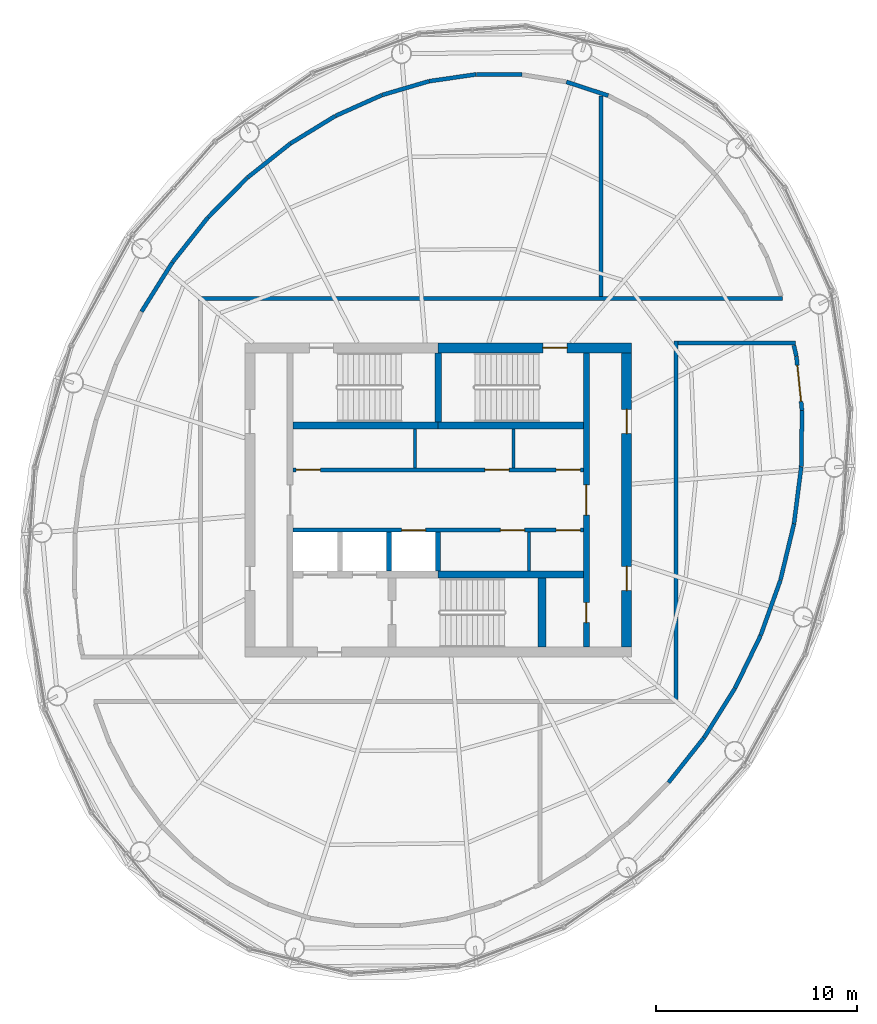
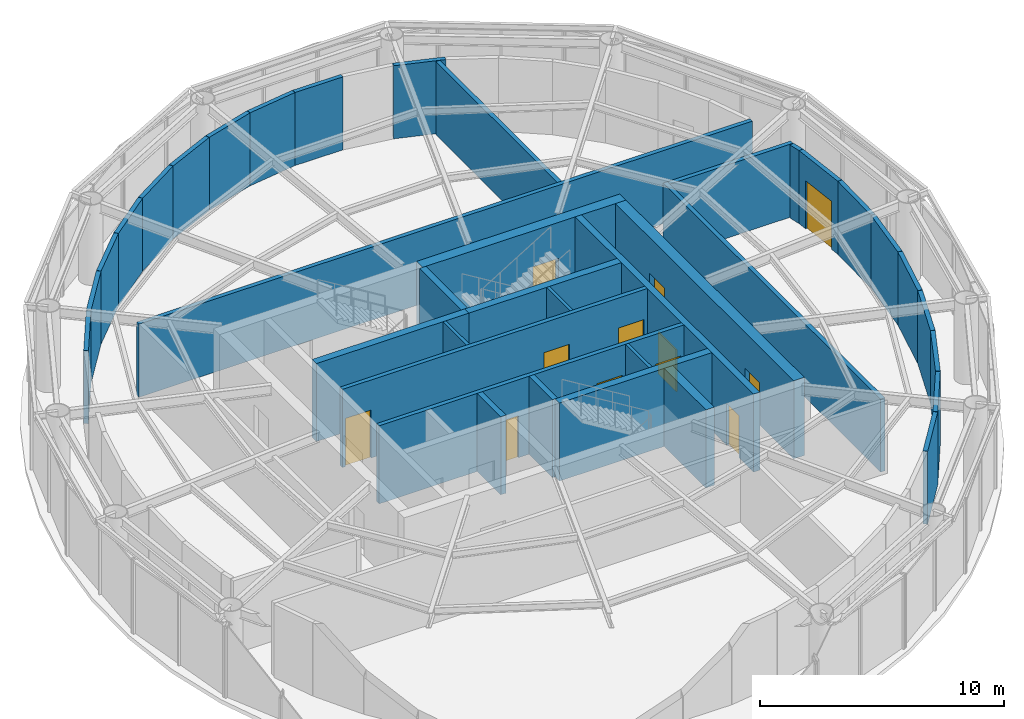
# One storey, part 9 of 11: 38 walls, 12 doors, 12 openings.
"""IFC4 building model written with IfcOpenShell, lengths in metres."""

from ifc_helpers import new_model, si_unit, direction, frame, frame_2d, origin, place, context, subcontext, project, spatial, rectangle, extrude, material, layer, layer_set, type_object, element, fill, save


model = new_model("IFC4")

# Units and contexts
model_context = context("Model", 3, precision=1e-05, world=origin(), true_north=direction((0.0, 1.0)))
body_context = subcontext(model_context, "Body", "Model", "MODEL_VIEW")
ifc_project = project(units=[si_unit("LENGTHUNIT", "METRE"), si_unit("AREAUNIT", "SQUARE_METRE"), si_unit("VOLUMEUNIT", "CUBIC_METRE"), si_unit("PLANEANGLEUNIT", "RADIAN"), si_unit("MASSUNIT", "GRAM", prefix="KILO")], contexts=[model_context])

# Site, building, storey
site_placement = place(None, origin())
site = spatial("IfcSite", under=ifc_project, at=site_placement, CompositionType="ELEMENT")
building_placement = place(site_placement, origin())
building = spatial("IfcBuilding", under=site, at=building_placement, Name="Vermilion Reach Broadcast Tower", CompositionType="ELEMENT")
storey_placement = place(building_placement, frame((0.0, 0.0, 317.10009765625)))
storey = spatial("IfcBuildingStorey", under=building, at=storey_placement, Name="L79 CROWN", CompositionType="ELEMENT", Elevation=317.10009765625)

# Wall, openings, doors
ifc_material_1 = material(Name="Concrete C50", Category="concrete")
ifc_layer_1 = layer(ifc_material_1, 0.300048828125)
ifc_layer_set_1 = layer_set([ifc_layer_1], Name="Core inner wall 300 mm Concrete C50")
wall_type_1 = type_object("IfcWallType", Name="Core inner wall 300 mm Concrete C50", PredefinedType="SHEAR", material=ifc_layer_set_1)
wall_1_placement = place(storey_placement, frame((1.35009765625, -7.300048828125, 0.0), z_axis=(0.0, 0.0, 1.0), x_axis=(0.0, 1.0, 0.0)))
wall_1 = element("IfcWall", 1, at=wall_1_placement, inside=storey, type_object=wall_type_1, Name="L79 CROWN core wall ewE", PredefinedType="SHEAR", context=body_context, shape_type="SweptSolid", body=[
    extrude(rectangle(XDim=14.60009765625, YDim=0.300048828125, at=frame_2d((7.300048828125, 0.0))), origin(), (0.0, 0.0, 1.0), 3.89990234375),
])
opening_1_placement = place(wall_1_placement, frame((1.2099609375, 0.0, 0.0)))
opening_1 = element("IfcOpeningElement", 2, at=opening_1_placement, cuts=wall_1, Name="Opening D05", PredefinedType="OPENING", context=body_context, shape_type="SweptSolid", body=[
    extrude(rectangle(XDim=1.0, YDim=2.10009765625, at=frame_2d((0.5, 1.050048828125))), frame((0.0, 0.159912109375, 0.0), z_axis=(0.0, -1.0, 0.0), x_axis=(1.0, 0.0, 0.0)), (0.0, 0.0, 1.0), 0.320068359375),
])
opening_2_placement = place(wall_1_placement, frame((6.550048828125, 0.0, 0.0)))
opening_2 = element("IfcOpeningElement", 3, at=opening_2_placement, cuts=wall_1, Name="Opening D04", PredefinedType="OPENING", context=body_context, shape_type="SweptSolid", body=[
    extrude(rectangle(XDim=1.5, YDim=2.10009765625, at=frame_2d((0.75, 1.050048828125))), frame((0.0, 0.159912109375, 0.0), z_axis=(0.0, -1.0, 0.0), x_axis=(1.0, 0.0, 0.0)), (0.0, 0.0, 1.0), 0.320068359375),
])
ifc_material_2 = material(Name="Painted steel fire door", Category="steel")
door_type_1 = type_object("IfcDoorType", Name="Lift lobby door 1500 x 2100", OperationType="DOUBLE_DOOR_SINGLE_SWING", PredefinedType="NOTDEFINED", material=ifc_material_2)
door_1_placement = place(opening_2_placement, origin())
door_1 = element("IfcDoor", 4, at=door_1_placement, inside=storey, type_object=door_type_1, Name="L79 CROWN band door BE", OperationType="DOUBLE_DOOR_SINGLE_SWING", OverallHeight=2.10009765625, OverallWidth=1.5, PredefinedType="NOTDEFINED", context=body_context, shape_type="SweptSolid", body=[
    extrude(rectangle(XDim=1.5, YDim=2.10009765625, at=frame_2d((0.75, 1.050048828125))), frame((0.0, 0.02490234375, 0.0), z_axis=(0.0, -1.0, 0.0), x_axis=(1.0, 0.0, 0.0)), (0.0, 0.0, 1.0), 0.050048828125),
])
fill(opening_2, door_1)
ifc_material_3 = material(Name="Timber door", Category="wood")
door_type_2 = type_object("IfcDoorType", Name="Room door 1000 x 2100", OperationType="NOTDEFINED", PredefinedType="NOTDEFINED", material=ifc_material_3)
door_2_placement = place(opening_1_placement, origin())
door_2 = element("IfcDoor", 5, at=door_2_placement, inside=storey, type_object=door_type_2, Name="L79 CROWN door SER", OperationType="SINGLE_SWING_LEFT", OverallHeight=2.10009765625, OverallWidth=1.0, PredefinedType="NOTDEFINED", context=body_context, shape_type="SweptSolid", body=[
    extrude(rectangle(XDim=1.0, YDim=2.10009765625, at=frame_2d((0.5, 1.050048828125))), frame((0.0, 0.02490234375, 0.0), z_axis=(0.0, -1.0, 0.0), x_axis=(1.0, 0.0, 0.0)), (0.0, 0.0, 1.0), 0.050048828125),
])
fill(opening_1, door_2)

# Walls
wall_2_placement = place(storey_placement, frame((-6.0, 3.8798828125, 0.0), z_axis=(0.0, 0.0, 1.0), x_axis=(0.0, 1.0, 0.0)))
element("IfcWall", 6, at=wall_2_placement, inside=storey, type_object=wall_type_1, Name="L79 CROWN core wall wc", PredefinedType="SHEAR", context=body_context, shape_type="SweptSolid", body=[
    extrude(rectangle(XDim=3.420166015625, YDim=0.300048828125, at=frame_2d((1.7099609375, 0.0))), origin(), (0.0, 0.0, 1.0), 3.89990234375),
])
ifc_material_4 = material(Name="Concrete C50", Category="concrete")
ifc_layer_2 = layer(ifc_material_4, 0.35009765625)
ifc_layer_set_2 = layer_set([ifc_layer_2], Name="Core inner wall 350 mm Concrete C50")
wall_type_2 = type_object("IfcWallType", Name="Core inner wall 350 mm Concrete C50", PredefinedType="SHEAR", material=ifc_layer_set_2)
for number, where, z_axis, x_axis, name in (
    (7, (-13.199951171875, 3.705078125, 0.0), (0.0, 0.0, 1.0), (1.0, 0.0, 0.0), "L79 CROWN core wall winW"),
    (8, (-6.0, 3.705078125, 0.0), (0.0, 0.0, 1.0), (1.0, 0.0, 0.0), "L79 CROWN core wall winE"),
    (9, (-6.0, -3.705078125, 0.0), (0.0, 0.0, 1.0), (1.0, 0.0, 0.0), "L79 CROWN core wall wisE"),
):
    element("IfcWall", number, at=place(storey_placement, frame(where, z_axis=z_axis, x_axis=x_axis)), inside=storey, type_object=wall_type_2, Name=name, PredefinedType="SHEAR", context=body_context, shape_type="SweptSolid", body=[
        extrude(rectangle(XDim=7.199951171875, YDim=0.35009765625, at=frame_2d((3.60009765625, 0.0))), origin(), (0.0, 0.0, 1.0), 3.89990234375),
    ])
ifc_material_5 = material(Name="Concrete C50", Category="concrete")
ifc_layer_3 = layer(ifc_material_5, 0.39990234375)
ifc_layer_set_3 = layer_set([ifc_layer_3], Name="Core inner wall 400 mm Concrete C50")
wall_type_3 = type_object("IfcWallType", Name="Core inner wall 400 mm Concrete C50", PredefinedType="SHEAR", material=ifc_layer_set_3)
wall_3_placement = place(storey_placement, frame((-0.85009765625, -3.8798828125, 0.0), z_axis=(0.0, 0.0, 1.0), x_axis=(0.0, -1.0, 0.0)))
element("IfcWall", 10, at=wall_3_placement, inside=storey, type_object=wall_type_3, Name="L79 CROWN core wall wb", PredefinedType="SHEAR", context=body_context, shape_type="SweptSolid", body=[
    extrude(rectangle(XDim=3.420166015625, YDim=0.39990234375, at=frame_2d((1.7099609375, 0.0))), origin(), (0.0, 0.0, 1.0), 3.89990234375),
])

# Wall, opening, door
ifc_material_6 = material(Name="Concrete C50", Category="concrete")
ifc_layer_4 = layer(ifc_material_6, 0.5)
ifc_layer_set_4 = layer_set([ifc_layer_4], Name="Core outer wall 500 mm Concrete C50")
wall_type_4 = type_object("IfcWallType", Name="Core outer wall 500 mm Concrete C50", PredefinedType="SHEAR", material=ifc_layer_set_4)
wall_4_placement = place(storey_placement, frame((3.60009765625, 7.550048828125, 0.0), z_axis=(0.0, 0.0, 1.0), x_axis=(-1.0, 0.0, 0.0)))
wall_4 = element("IfcWall", 11, at=wall_4_placement, inside=storey, type_object=wall_type_4, Name="L79 CROWN core wall onE", PredefinedType="SHEAR", context=body_context, shape_type="SweptSolid", body=[
    extrude(rectangle(XDim=9.60009765625, YDim=0.5, at=frame_2d((4.800048828125, 0.0))), origin(), (0.0, 0.0, 1.0), 3.89990234375),
])
opening_3_placement = place(wall_4_placement, frame((3.199951171875, 0.0, 0.0)))
opening_3 = element("IfcOpeningElement", 12, at=opening_3_placement, cuts=wall_4, Name="Opening D01", PredefinedType="OPENING", context=body_context, shape_type="SweptSolid", body=[
    extrude(rectangle(XDim=1.199951171875, YDim=2.10009765625, at=frame_2d((0.60009765625, 1.050048828125))), frame((0.0, 0.260009765625, 0.0), z_axis=(0.0, -1.0, 0.0), x_axis=(1.0, 0.0, 0.0)), (0.0, 0.0, 1.0), 0.52001953125),
])
ifc_material_7 = material(Name="Painted steel fire door", Category="steel")
door_type_3 = type_object("IfcDoorType", Name="Stair door 1200 x 2100", OperationType="DOUBLE_DOOR_SINGLE_SWING", PredefinedType="NOTDEFINED", material=ifc_material_7)
door_3_placement = place(opening_3_placement, origin())
door_3 = element("IfcDoor", 13, at=door_3_placement, inside=storey, type_object=door_type_3, Name="L79 CROWN stair door ST2", OperationType="DOUBLE_DOOR_SINGLE_SWING", OverallHeight=2.10009765625, OverallWidth=1.199951171875, PredefinedType="NOTDEFINED", context=body_context, shape_type="SweptSolid", body=[
    extrude(rectangle(XDim=1.199951171875, YDim=2.10009765625, at=frame_2d((0.60009765625, 1.050048828125))), frame((0.0, 0.02490234375, 0.0), z_axis=(0.0, -1.0, 0.0), x_axis=(1.0, 0.0, 0.0)), (0.0, 0.0, 1.0), 0.050048828125),
])
fill(opening_3, door_3)

# Wall, openings, doors
wall_5_placement = place(storey_placement, frame((3.35009765625, -7.300048828125, 0.0), z_axis=(0.0, 0.0, 1.0), x_axis=(0.0, 1.0, 0.0)))
wall_5 = element("IfcWall", 14, at=wall_5_placement, inside=storey, type_object=wall_type_4, Name="L79 CROWN core wall oe", PredefinedType="SHEAR", context=body_context, shape_type="SweptSolid", body=[
    extrude(rectangle(XDim=14.60009765625, YDim=0.5, at=frame_2d((7.300048828125, 0.0))), origin(), (0.0, 0.0, 1.0), 3.89990234375),
])
opening_4_placement = place(wall_5_placement, frame((2.800048828125, 0.0, 0.0)))
opening_4 = element("IfcOpeningElement", 15, at=opening_4_placement, cuts=wall_5, Name="Opening D03", PredefinedType="OPENING", context=body_context, shape_type="SweptSolid", body=[
    extrude(rectangle(XDim=1.199951171875, YDim=2.10009765625, at=frame_2d((0.60009765625, 1.050048828125))), frame((0.0, 0.260009765625, 0.0), z_axis=(0.0, -1.0, 0.0), x_axis=(1.0, 0.0, 0.0)), (0.0, 0.0, 1.0), 0.52001953125),
])
opening_5_placement = place(wall_5_placement, frame((10.60009765625, 0.0, 0.0)))
opening_5 = element("IfcOpeningElement", 16, at=opening_5_placement, cuts=wall_5, Name="Opening D03", PredefinedType="OPENING", context=body_context, shape_type="SweptSolid", body=[
    extrude(rectangle(XDim=1.199951171875, YDim=2.10009765625, at=frame_2d((0.60009765625, 1.050048828125))), frame((0.0, 0.260009765625, 0.0), z_axis=(0.0, -1.0, 0.0), x_axis=(1.0, 0.0, 0.0)), (0.0, 0.0, 1.0), 0.52001953125),
])
ifc_material_8 = material(Name="Painted steel fire door", Category="steel")
door_type_4 = type_object("IfcDoorType", Name="Core lobby door 1200 x 2100", OperationType="DOUBLE_DOOR_SINGLE_SWING", PredefinedType="NOTDEFINED", material=ifc_material_8)
door_4_placement = place(opening_4_placement, origin())
door_4 = element("IfcDoor", 17, at=door_4_placement, inside=storey, type_object=door_type_4, Name="L79 CROWN slot door E0", OperationType="DOUBLE_DOOR_SINGLE_SWING", OverallHeight=2.10009765625, OverallWidth=1.199951171875, PredefinedType="NOTDEFINED", context=body_context, shape_type="SweptSolid", body=[
    extrude(rectangle(XDim=1.199951171875, YDim=2.10009765625, at=frame_2d((0.60009765625, 1.050048828125))), frame((0.0, 0.02490234375, 0.0), z_axis=(0.0, -1.0, 0.0), x_axis=(1.0, 0.0, 0.0)), (0.0, 0.0, 1.0), 0.050048828125),
])
fill(opening_4, door_4)
door_5_placement = place(opening_5_placement, origin())
door_5 = element("IfcDoor", 18, at=door_5_placement, inside=storey, type_object=door_type_4, Name="L79 CROWN slot door E1", OperationType="DOUBLE_DOOR_SINGLE_SWING", OverallHeight=2.10009765625, OverallWidth=1.199951171875, PredefinedType="NOTDEFINED", context=body_context, shape_type="SweptSolid", body=[
    extrude(rectangle(XDim=1.199951171875, YDim=2.10009765625, at=frame_2d((0.60009765625, 1.050048828125))), frame((0.0, 0.02490234375, 0.0), z_axis=(0.0, -1.0, 0.0), x_axis=(1.0, 0.0, 0.0)), (0.0, 0.0, 1.0), 0.050048828125),
])
fill(opening_5, door_5)

# Walls
ifc_material_9 = material(Name="Masonry block", Category="masonry")
ifc_layer_5 = layer(ifc_material_9, 0.14990234375)
ifc_layer_set_5 = layer_set([ifc_layer_5], Name="Core partition wall 150 mm Masonry block")
wall_type_5 = type_object("IfcWallType", Name="Core partition wall 150 mm Masonry block", PredefinedType="PARTITIONING", material=ifc_layer_set_5)
for number, where, z_axis, x_axis, name in (
    (19, (-7.152099609375, 1.60009765625, 0.0), (0.0, 0.0, 1.0), (0.0, 1.0, 0.0), "L79 CROWN core wall prN-1152"),
    (20, (-2.256103515625, 1.60009765625, 0.0), (0.0, 0.0, 1.0), (0.0, 1.0, 0.0), "L79 CROWN core wall prN3744"),
    (21, (-1.488525390625, -1.60009765625, 0.0), (0.0, 0.0, 1.0), (0.0, -1.0, 0.0), "L79 CROWN core wall prS4512"),
):
    element("IfcWall", number, at=place(storey_placement, frame(where, z_axis=z_axis, x_axis=x_axis)), inside=storey, type_object=wall_type_5, Name=name, PredefinedType="PARTITIONING", context=body_context, shape_type="SweptSolid", body=[
        extrude(rectangle(XDim=1.929931640625, YDim=0.14990234375, at=frame_2d((0.96484375, 0.0))), origin(), (0.0, 0.0, 1.0), 3.89990234375),
    ])

# Wall, openings, doors
ifc_material_10 = material(Name="Concrete C50", Category="concrete")
ifc_layer_6 = layer(ifc_material_10, 0.199951171875)
ifc_layer_set_6 = layer_set([ifc_layer_6], Name="Core shaft wall 200 mm Concrete C50")
wall_type_6 = type_object("IfcWallType", Name="Core shaft wall 200 mm Concrete C50", PredefinedType="SHEAR", material=ifc_layer_set_6)
wall_6_placement = place(storey_placement, frame((-13.199951171875, 1.5, 0.0), z_axis=(0.0, 0.0, 1.0), x_axis=(1.0, 0.0, 0.0)))
wall_6 = element("IfcWall", 22, at=wall_6_placement, inside=storey, type_object=wall_type_6, Name="L79 CROWN core wall fn", PredefinedType="SHEAR", context=body_context, shape_type="SweptSolid", body=[
    extrude(rectangle(XDim=14.39990234375, YDim=0.199951171875, at=frame_2d((7.199951171875, 0.0))), origin(), (0.0, 0.0, 1.0), 3.89990234375),
])
opening_6_placement = place(wall_6_placement, frame((0.14990234375, 0.0, 0.0)))
opening_6 = element("IfcOpeningElement", 23, at=opening_6_placement, cuts=wall_6, Name="Opening D09", PredefinedType="OPENING", context=body_context, shape_type="SweptSolid", body=[
    extrude(rectangle(XDim=1.199951171875, YDim=2.39990234375, at=frame_2d((0.60009765625, 1.199951171875))), frame((0.0, 0.10986328125, 0.0), z_axis=(0.0, -1.0, 0.0), x_axis=(1.0, 0.0, 0.0)), (0.0, 0.0, 1.0), 0.219970703125),
])
opening_7_placement = place(wall_6_placement, frame((9.51904296875, 0.0, 0.0)))
opening_7 = element("IfcOpeningElement", 24, at=opening_7_placement, cuts=wall_6, Name="Opening D09", PredefinedType="OPENING", context=body_context, shape_type="SweptSolid", body=[
    extrude(rectangle(XDim=1.199951171875, YDim=2.39990234375, at=frame_2d((0.60009765625, 1.199951171875))), frame((0.0, 0.10986328125, 0.0), z_axis=(0.0, -1.0, 0.0), x_axis=(1.0, 0.0, 0.0)), (0.0, 0.0, 1.0), 0.219970703125),
])
opening_8_placement = place(wall_6_placement, frame((13.050048828125, 0.0, 0.0)))
opening_8 = element("IfcOpeningElement", 25, at=opening_8_placement, cuts=wall_6, Name="Opening D09", PredefinedType="OPENING", context=body_context, shape_type="SweptSolid", body=[
    extrude(rectangle(XDim=1.199951171875, YDim=2.39990234375, at=frame_2d((0.60009765625, 1.199951171875))), frame((0.0, 0.10986328125, 0.0), z_axis=(0.0, -1.0, 0.0), x_axis=(1.0, 0.0, 0.0)), (0.0, 0.0, 1.0), 0.219970703125),
])
ifc_material_11 = material(Name="Painted steel fire door", Category="steel")
door_type_5 = type_object("IfcDoorType", Name="Plant room door 1200 x 2400", OperationType="DOUBLE_DOOR_SINGLE_SWING", PredefinedType="NOTDEFINED", material=ifc_material_11)
door_6_placement = place(opening_6_placement, origin())
door_6 = element("IfcDoor", 26, at=door_6_placement, inside=storey, type_object=door_type_5, Name="L79 CROWN door Plant room", OperationType="DOUBLE_DOOR_SINGLE_SWING", OverallHeight=2.39990234375, OverallWidth=1.199951171875, PredefinedType="NOTDEFINED", context=body_context, shape_type="SweptSolid", body=[
    extrude(rectangle(XDim=1.199951171875, YDim=2.39990234375, at=frame_2d((0.60009765625, 1.199951171875))), frame((0.0, 0.02490234375, 0.0), z_axis=(0.0, -1.0, 0.0), x_axis=(1.0, 0.0, 0.0)), (0.0, 0.0, 1.0), 0.050048828125),
])
fill(opening_6, door_6)
door_7_placement = place(opening_7_placement, origin())
door_7 = element("IfcDoor", 27, at=door_7_placement, inside=storey, type_object=door_type_5, Name="L79 CROWN door Plant room", OperationType="DOUBLE_DOOR_SINGLE_SWING", OverallHeight=2.39990234375, OverallWidth=1.199951171875, PredefinedType="NOTDEFINED", context=body_context, shape_type="SweptSolid", body=[
    extrude(rectangle(XDim=1.199951171875, YDim=2.39990234375, at=frame_2d((0.60009765625, 1.199951171875))), frame((0.0, 0.02490234375, 0.0), z_axis=(0.0, -1.0, 0.0), x_axis=(1.0, 0.0, 0.0)), (0.0, 0.0, 1.0), 0.050048828125),
])
fill(opening_7, door_7)
door_8_placement = place(opening_8_placement, origin())
door_8 = element("IfcDoor", 28, at=door_8_placement, inside=storey, type_object=door_type_5, Name="L79 CROWN door Plant room", OperationType="DOUBLE_DOOR_SINGLE_SWING", OverallHeight=2.39990234375, OverallWidth=1.199951171875, PredefinedType="NOTDEFINED", context=body_context, shape_type="SweptSolid", body=[
    extrude(rectangle(XDim=1.199951171875, YDim=2.39990234375, at=frame_2d((0.60009765625, 1.199951171875))), frame((0.0, 0.02490234375, 0.0), z_axis=(0.0, -1.0, 0.0), x_axis=(1.0, 0.0, 0.0)), (0.0, 0.0, 1.0), 0.050048828125),
])
fill(opening_8, door_8)

wall_7_placement = place(storey_placement, frame((1.199951171875, -1.5, 0.0), z_axis=(0.0, 0.0, 1.0), x_axis=(-1.0, 0.0, 0.0)))
wall_7 = element("IfcWall", 29, at=wall_7_placement, inside=storey, type_object=wall_type_6, Name="L79 CROWN core wall fs", PredefinedType="SHEAR", context=body_context, shape_type="SweptSolid", body=[
    extrude(rectangle(XDim=14.39990234375, YDim=0.199951171875, at=frame_2d((7.199951171875, 0.0))), origin(), (0.0, 0.0, 1.0), 3.89990234375),
])
opening_9_placement = place(wall_7_placement, frame((7.82080078125, 0.0, 0.0)))
opening_9 = element("IfcOpeningElement", 30, at=opening_9_placement, cuts=wall_7, Name="Opening LD1", PredefinedType="OPENING", context=body_context, shape_type="SweptSolid", body=[
    extrude(rectangle(XDim=1.199951171875, YDim=2.10009765625, at=frame_2d((0.60009765625, 1.050048828125))), frame((0.0, 0.10986328125, 0.0), z_axis=(0.0, -1.0, 0.0), x_axis=(1.0, 0.0, 0.0)), (0.0, 0.0, 1.0), 0.219970703125),
])
opening_10_placement = place(wall_7_placement, frame((2.91357421875, 0.0, 0.0)))
opening_10 = element("IfcOpeningElement", 31, at=opening_10_placement, cuts=wall_7, Name="Opening D09", PredefinedType="OPENING", context=body_context, shape_type="SweptSolid", body=[
    extrude(rectangle(XDim=1.199951171875, YDim=2.39990234375, at=frame_2d((0.60009765625, 1.199951171875))), frame((0.0, 0.10986328125, 0.0), z_axis=(0.0, -1.0, 0.0), x_axis=(1.0, 0.0, 0.0)), (0.0, 0.0, 1.0), 0.219970703125),
])
opening_11_placement = place(wall_7_placement, frame((0.14990234375, 0.0, 0.0)))
opening_11 = element("IfcOpeningElement", 32, at=opening_11_placement, cuts=wall_7, Name="Opening D09", PredefinedType="OPENING", context=body_context, shape_type="SweptSolid", body=[
    extrude(rectangle(XDim=1.199951171875, YDim=2.39990234375, at=frame_2d((0.60009765625, 1.199951171875))), frame((0.0, 0.10986328125, 0.0), z_axis=(0.0, -1.0, 0.0), x_axis=(1.0, 0.0, 0.0)), (0.0, 0.0, 1.0), 0.219970703125),
])
ifc_material_12 = material(Name="Stainless steel", Category="steel")
door_type_6 = type_object("IfcDoorType", Name="Landing door 1200 x 2100", OperationType="DOUBLE_DOOR_SLIDING", PredefinedType="NOTDEFINED", material=ifc_material_12)
door_9_placement = place(opening_9_placement, origin())
door_9 = element("IfcDoor", 33, at=door_9_placement, inside=storey, type_object=door_type_6, Name="L79 CROWN landing door SV1", OperationType="DOUBLE_DOOR_SLIDING", OverallHeight=2.10009765625, OverallWidth=1.199951171875, PredefinedType="NOTDEFINED", context=body_context, shape_type="SweptSolid", body=[
    extrude(rectangle(XDim=1.199951171875, YDim=2.10009765625, at=frame_2d((0.60009765625, 1.050048828125))), frame((0.0, 0.02490234375, 0.0), z_axis=(0.0, -1.0, 0.0), x_axis=(1.0, 0.0, 0.0)), (0.0, 0.0, 1.0), 0.050048828125),
])
fill(opening_9, door_9)
door_10_placement = place(opening_10_placement, origin())
door_10 = element("IfcDoor", 34, at=door_10_placement, inside=storey, type_object=door_type_5, Name="L79 CROWN door Plant room", OperationType="DOUBLE_DOOR_SINGLE_SWING", OverallHeight=2.39990234375, OverallWidth=1.199951171875, PredefinedType="NOTDEFINED", context=body_context, shape_type="SweptSolid", body=[
    extrude(rectangle(XDim=1.199951171875, YDim=2.39990234375, at=frame_2d((0.60009765625, 1.199951171875))), frame((0.0, 0.02490234375, 0.0), z_axis=(0.0, -1.0, 0.0), x_axis=(1.0, 0.0, 0.0)), (0.0, 0.0, 1.0), 0.050048828125),
])
fill(opening_10, door_10)
door_11_placement = place(opening_11_placement, origin())
door_11 = element("IfcDoor", 35, at=door_11_placement, inside=storey, type_object=door_type_5, Name="L79 CROWN door Plant room", OperationType="DOUBLE_DOOR_SINGLE_SWING", OverallHeight=2.39990234375, OverallWidth=1.199951171875, PredefinedType="NOTDEFINED", context=body_context, shape_type="SweptSolid", body=[
    extrude(rectangle(XDim=1.199951171875, YDim=2.39990234375, at=frame_2d((0.60009765625, 1.199951171875))), frame((0.0, 0.02490234375, 0.0), z_axis=(0.0, -1.0, 0.0), x_axis=(1.0, 0.0, 0.0)), (0.0, 0.0, 1.0), 0.050048828125),
])
fill(opening_11, door_11)

# Walls
ifc_material_13 = material(Name="Concrete C50", Category="concrete")
ifc_layer_7 = layer(ifc_material_13, 0.25)
ifc_layer_set_7 = layer_set([ifc_layer_7], Name="Core shaft wall 250 mm Concrete C50")
wall_type_7 = type_object("IfcWallType", Name="Core shaft wall 250 mm Concrete C50", PredefinedType="SHEAR", material=ifc_layer_set_7)
for number, where, z_axis, x_axis, name in (
    (36, (-8.441650390625, -1.60009765625, 0.0), (0.0, 0.0, 1.0), (0.0, -1.0, 0.0), "L79 CROWN core wall psS1"),
    (37, (-6.0, -1.60009765625, 0.0), (0.0, 0.0, 1.0), (0.0, -1.0, 0.0), "L79 CROWN core wall psS2"),
):
    element("IfcWall", number, at=place(storey_placement, frame(where, z_axis=z_axis, x_axis=x_axis)), inside=storey, type_object=wall_type_7, Name=name, PredefinedType="SHEAR", context=body_context, shape_type="SweptSolid", body=[
        extrude(rectangle(XDim=1.929931640625, YDim=0.25, at=frame_2d((0.96484375, 0.0))), origin(), (0.0, 0.0, 1.0), 3.89990234375),
    ])
ifc_material_14 = material(Name="Gypsum board shaft wall")
ifc_layer_8 = layer(ifc_material_14, 0.199951171875)
ifc_layer_set_8 = layer_set([ifc_layer_8], Name="Plant room wall 200")
wall_type_8 = type_object("IfcWallType", Name="Plant room wall 200", PredefinedType="PARTITIONING", material=ifc_layer_set_8)
wall_8_placement = place(storey_placement, frame((-17.89990234375, 10.0, 0.0), z_axis=(0.0, 0.0, 1.0), x_axis=(1.0, 0.0, 0.0)))
element("IfcWall", 38, at=wall_8_placement, inside=storey, type_object=wall_type_8, Name="sp.wall.L79 CROWN.000", PredefinedType="PARTITIONING", context=body_context, shape_type="SweptSolid", body=[
    extrude(rectangle(XDim=28.97607421875, YDim=0.199951171875, at=frame_2d((14.488037109375, 0.0))), origin(), (0.0, 0.0, 1.0), 3.64990234375),
])
wall_9_placement = place(storey_placement, frame((5.800048828125, -9.89990234375, 0.0), z_axis=(0.0, 0.0, 1.0), x_axis=(0.0, 1.0, 0.0)))
element("IfcWall", 39, at=wall_9_placement, inside=storey, type_object=wall_type_8, Name="sp.wall.L79 CROWN.002", PredefinedType="PARTITIONING", context=body_context, shape_type="SweptSolid", body=[
    extrude(rectangle(XDim=17.800048828125, YDim=0.199951171875, at=frame_2d((8.89990234375, 0.0))), origin(), (0.0, 0.0, 1.0), 3.64990234375),
])
wall_10_placement = place(storey_placement, frame((5.89990234375, 7.800048828125, 0.0), z_axis=(0.0, 0.0, 1.0), x_axis=(1.0, 0.0, 0.0)))
element("IfcWall", 40, at=wall_10_placement, inside=storey, type_object=wall_type_8, Name="sp.wall.L79 CROWN.004", PredefinedType="PARTITIONING", context=body_context, shape_type="SweptSolid", body=[
    extrude(rectangle(XDim=5.82373046875, YDim=0.199951171875, at=frame_2d((2.911865234375, 0.0))), origin(), (0.0, 0.0, 1.0), 3.64990234375),
])
wall_11_placement = place(storey_placement, frame((2.076171875, 10.10009765625, 0.0), z_axis=(0.0, 0.0, 1.0), x_axis=(0.0, 1.0, 0.0)))
element("IfcWall", 41, at=wall_11_placement, inside=storey, type_object=wall_type_8, Name="sp.wall.L79 CROWN.006", PredefinedType="PARTITIONING", context=body_context, shape_type="SweptSolid", body=[
    extrude(rectangle(XDim=9.95068359375, YDim=0.199951171875, at=frame_2d((4.975341796875, 0.0))), origin(), (0.0, 0.0, 1.0), 3.64990234375),
])
wall_12_placement = place(storey_placement, frame((0.365478515625, 20.752197265625, 0.0), z_axis=(0.0, 0.0, 1.0), x_axis=(0.949852302688, -0.312698901627, 0.0)))
element("IfcWall", 42, at=wall_12_placement, inside=storey, type_object=wall_type_8, Name="sp.wall.L79 CROWN.010", PredefinedType="PARTITIONING", context=body_context, shape_type="SweptSolid", body=[
    extrude(rectangle(XDim=2.1806640625, YDim=0.199951171875, at=frame_2d((1.09033203125, 0.0))), origin(), (0.0, 0.0, 1.0), 3.64990234375),
])
wall_13_placement = place(storey_placement, frame((-20.724609375, 9.352294921875, 0.0), z_axis=(0.0, 0.0, 1.0), x_axis=(0.530761457751, 0.847521253401, 0.0)))
element("IfcWall", 43, at=wall_13_placement, inside=storey, type_object=wall_type_8, Name="sp.wall.L79 CROWN.021", PredefinedType="PARTITIONING", context=body_context, shape_type="SweptSolid", body=[
    extrude(rectangle(XDim=2.877197265625, YDim=0.199951171875, at=frame_2d((1.4384765625, 0.0))), origin(), (0.0, 0.0, 1.0), 3.64990234375),
])
wall_14_placement = place(storey_placement, frame((-19.190673828125, 11.79931640625, 0.0), z_axis=(0.0, 0.0, 1.0), x_axis=(0.620327979869, 0.784342525553, 0.0)))
element("IfcWall", 44, at=wall_14_placement, inside=storey, type_object=wall_type_8, Name="sp.wall.L79 CROWN.022", PredefinedType="PARTITIONING", context=body_context, shape_type="SweptSolid", body=[
    extrude(rectangle(XDim=2.835693359375, YDim=0.199951171875, at=frame_2d((1.41796875, 0.0))), origin(), (0.0, 0.0, 1.0), 3.64990234375),
])
wall_15_placement = place(storey_placement, frame((-17.423583984375, 14.031494140625, 0.0), z_axis=(0.0, 0.0, 1.0), x_axis=(0.704683921548, 0.70952136734, 0.0)))
element("IfcWall", 45, at=wall_15_placement, inside=storey, type_object=wall_type_8, Name="sp.wall.L79 CROWN.023", PredefinedType="PARTITIONING", context=body_context, shape_type="SweptSolid", body=[
    extrude(rectangle(XDim=2.77587890625, YDim=0.199951171875, at=frame_2d((1.387939453125, 0.0))), origin(), (0.0, 0.0, 1.0), 3.64990234375),
])
wall_16_placement = place(storey_placement, frame((-15.458251953125, 16.00830078125, 0.0), z_axis=(0.0, 0.0, 1.0), x_axis=(0.782656107767, 0.62245434931, 0.0)))
element("IfcWall", 46, at=wall_16_placement, inside=storey, type_object=wall_type_8, Name="sp.wall.L79 CROWN.024", PredefinedType="PARTITIONING", context=body_context, shape_type="SweptSolid", body=[
    extrude(rectangle(XDim=2.700439453125, YDim=0.199951171875, at=frame_2d((1.35009765625, 0.0))), origin(), (0.0, 0.0, 1.0), 3.64990234375),
])
wall_17_placement = place(storey_placement, frame((-13.334228515625, 17.69580078125, 0.0), z_axis=(0.0, 0.0, 1.0), x_axis=(0.852667029926, 0.522454721557, 0.0)))
element("IfcWall", 47, at=wall_17_placement, inside=storey, type_object=wall_type_8, Name="sp.wall.L79 CROWN.025", PredefinedType="PARTITIONING", context=body_context, shape_type="SweptSolid", body=[
    extrude(rectangle(XDim=2.613525390625, YDim=0.199951171875, at=frame_2d((1.306640625, 0.0))), origin(), (0.0, 0.0, 1.0), 3.64990234375),
])
wall_18_placement = place(storey_placement, frame((-11.093994140625, 19.066650390625, 0.0), z_axis=(0.0, 0.0, 1.0), x_axis=(0.912552955942, 0.408958558538, 0.0)))
element("IfcWall", 48, at=wall_18_placement, inside=storey, type_object=wall_type_8, Name="sp.wall.L79 CROWN.026", PredefinedType="PARTITIONING", context=body_context, shape_type="SweptSolid", body=[
    extrude(rectangle(XDim=2.5205078125, YDim=0.199951171875, at=frame_2d((1.26025390625, 0.0))), origin(), (0.0, 0.0, 1.0), 3.64990234375),
])
wall_19_placement = place(storey_placement, frame((-8.781005859375, 20.101318359375, 0.0), z_axis=(0.0, 0.0, 1.0), x_axis=(0.95934146389, 0.28224803925, 0.0)))
element("IfcWall", 49, at=wall_19_placement, inside=storey, type_object=wall_type_8, Name="sp.wall.L79 CROWN.027", PredefinedType="PARTITIONING", context=body_context, shape_type="SweptSolid", body=[
    extrude(rectangle(XDim=2.42626953125, YDim=0.199951171875, at=frame_2d((1.213134765625, 0.0))), origin(), (0.0, 0.0, 1.0), 3.64990234375),
])
wall_20_placement = place(storey_placement, frame((-6.439208984375, 20.7880859375, 0.0), z_axis=(0.0, 0.0, 1.0), x_axis=(0.989671979467, 0.143350525141, 0.0)))
element("IfcWall", 50, at=wall_20_placement, inside=storey, type_object=wall_type_8, Name="sp.wall.L79 CROWN.028", PredefinedType="PARTITIONING", context=body_context, shape_type="SweptSolid", body=[
    extrude(rectangle(XDim=2.33837890625, YDim=0.199951171875, at=frame_2d((1.169189453125, 0.0))), origin(), (0.0, 0.0, 1.0), 3.64990234375),
])
wall_21_placement = place(storey_placement, frame((-4.110107421875, 21.123046875, 0.0), z_axis=(0.0, 0.0, 1.0), x_axis=(0.999986603133, -0.005176248997, 0.0)))
element("IfcWall", 51, at=wall_21_placement, inside=storey, type_object=wall_type_8, Name="sp.wall.L79 CROWN.029", PredefinedType="PARTITIONING", context=body_context, shape_type="SweptSolid", body=[
    extrude(rectangle(XDim=2.263916015625, YDim=0.199951171875, at=frame_2d((1.1318359375, 0.0))), origin(), (0.0, 0.0, 1.0), 3.64990234375),
])
wall_22_placement = place(storey_placement, frame((12.017822265625, 1.655517578125, 0.0), z_axis=(0.0, 0.0, 1.0), x_axis=(0.013897320686, 0.999903427576, 0.0)))
element("IfcWall", 52, at=wall_22_placement, inside=storey, type_object=wall_type_8, Name="sp.wall.L79 CROWN.032", PredefinedType="PARTITIONING", context=body_context, shape_type="SweptSolid", body=[
    extrude(rectangle(XDim=2.775634765625, YDim=0.199951171875, at=frame_2d((1.3876953125, 0.0))), origin(), (0.0, 0.0, 1.0), 3.64990234375),
])
wall_23_placement = place(storey_placement, frame((11.659423828125, -1.1689453125, 0.0), z_axis=(0.0, 0.0, 1.0), x_axis=(0.126302032537, 0.991991832919, 0.0)))
element("IfcWall", 53, at=wall_23_placement, inside=storey, type_object=wall_type_8, Name="sp.wall.L79 CROWN.033", PredefinedType="PARTITIONING", context=body_context, shape_type="SweptSolid", body=[
    extrude(rectangle(XDim=2.835693359375, YDim=0.199951171875, at=frame_2d((1.41796875, 0.0))), origin(), (0.0, 0.0, 1.0), 3.64990234375),
])
wall_24_placement = place(storey_placement, frame((10.984375, -3.976806640625, 0.0), z_axis=(0.0, 0.0, 1.0), x_axis=(0.234120678443, 0.972207543648, 0.0)))
element("IfcWall", 54, at=wall_24_placement, inside=storey, type_object=wall_type_8, Name="sp.wall.L79 CROWN.034", PredefinedType="PARTITIONING", context=body_context, shape_type="SweptSolid", body=[
    extrude(rectangle(XDim=2.877197265625, YDim=0.199951171875, at=frame_2d((1.4384765625, 0.0))), origin(), (0.0, 0.0, 1.0), 3.64990234375),
])
wall_25_placement = place(storey_placement, frame((10.003662109375, -6.715576171875, 0.0), z_axis=(0.0, 0.0, 1.0), x_axis=(0.337478197562, 0.941333344873, 0.0)))
element("IfcWall", 55, at=wall_25_placement, inside=storey, type_object=wall_type_8, Name="sp.wall.L79 CROWN.035", PredefinedType="PARTITIONING", context=body_context, shape_type="SweptSolid", body=[
    extrude(rectangle(XDim=2.89794921875, YDim=0.199951171875, at=frame_2d((1.448974609375, 0.0))), origin(), (0.0, 0.0, 1.0), 3.64990234375),
])
wall_26_placement = place(storey_placement, frame((8.73046875, -9.34326171875, 0.0), z_axis=(0.0, 0.0, 1.0), x_axis=(0.436405284506, 0.89975020292, 0.0)))
element("IfcWall", 56, at=wall_26_placement, inside=storey, type_object=wall_type_8, Name="sp.wall.L79 CROWN.036", PredefinedType="PARTITIONING", context=body_context, shape_type="SweptSolid", body=[
    extrude(rectangle(XDim=2.9091796875, YDim=0.199951171875, at=frame_2d((1.45458984375, 0.0))), origin(), (0.0, 0.0, 1.0), 3.64990234375),
])
wall_27_placement = place(storey_placement, frame((7.197509765625, -11.790771484375, 0.0), z_axis=(0.0, 0.0, 1.0), x_axis=(0.530761457751, 0.847521253401, 0.0)))
element("IfcWall", 57, at=wall_27_placement, inside=storey, type_object=wall_type_8, Name="sp.wall.L79 CROWN.037", PredefinedType="PARTITIONING", context=body_context, shape_type="SweptSolid", body=[
    extrude(rectangle(XDim=2.877197265625, YDim=0.199951171875, at=frame_2d((1.4384765625, 0.0))), origin(), (0.0, 0.0, 1.0), 3.64990234375),
])
wall_28_placement = place(storey_placement, frame((5.431640625, -14.0234375, 0.0), z_axis=(0.0, 0.0, 1.0), x_axis=(0.620327979869, 0.784342525553, 0.0)))
element("IfcWall", 58, at=wall_28_placement, inside=storey, type_object=wall_type_8, Name="sp.wall.L79 CROWN.038", PredefinedType="PARTITIONING", context=body_context, shape_type="SweptSolid", body=[
    extrude(rectangle(XDim=2.835693359375, YDim=0.199951171875, at=frame_2d((1.41796875, 0.0))), origin(), (0.0, 0.0, 1.0), 3.64990234375),
])
wall_29_placement = place(storey_placement, frame((11.651611328125, 7.677734375, 0.0), z_axis=(0.0, 0.0, 1.0), x_axis=(0.2234024776, -0.974726286196, 0.0)))
element("IfcWall", 59, at=wall_29_placement, inside=storey, type_object=wall_type_8, Name="sp.wall.L79 CROWN.043", PredefinedType="PARTITIONING", context=body_context, shape_type="SweptSolid", body=[
    extrude(rectangle(XDim=0.55078125, YDim=0.199951171875, at=frame_2d((0.275390625, 0.0))), origin(), (0.0, 0.0, 1.0), 3.64990234375),
])

# Wall, opening, door
wall_30_placement = place(storey_placement, frame((12.05517578125, 4.442626953125, 0.0), z_axis=(0.0, 0.0, 1.0), x_axis=(-0.102877560919, 0.994694027055, 0.0)))
wall_30 = element("IfcWall", 60, at=wall_30_placement, inside=storey, type_object=wall_type_8, Name="sp.wall.L79 CROWN.044", PredefinedType="PARTITIONING", context=body_context, shape_type="SweptSolid", body=[
    extrude(rectangle(XDim=2.70068359375, YDim=0.199951171875, at=frame_2d((1.350341796875, 0.0))), origin(), (0.0, 0.0, 1.0), 3.64990234375),
])
opening_12_placement = place(wall_30_placement, frame((0.4501953125, 0.0, 0.0)))
opening_12 = element("IfcOpeningElement", 61, at=opening_12_placement, cuts=wall_30, Name="Opening D53", PredefinedType="OPENING", context=body_context, shape_type="SweptSolid", body=[
    extrude(rectangle(XDim=1.800048828125, YDim=2.39990234375, at=frame_2d((0.89990234375, 1.199951171875))), frame((0.0, 0.10986328125, 0.0), z_axis=(0.0, -1.0, 0.0), x_axis=(1.0, 0.0, 0.0)), (0.0, 0.0, 1.0), 0.219970703125),
])
ifc_material_15 = material(Name="Timber and steel door set", Category="steel")
door_type_7 = type_object("IfcDoorType", Name="Plant double door 1800x2400", OperationType="NOTDEFINED", PredefinedType="DOOR", material=ifc_material_15)
door_12_placement = place(opening_12_placement, origin())
door_12 = element("IfcDoor", 62, at=door_12_placement, inside=storey, type_object=door_type_7, Name="sp.door.L79 CROWN.002", OperationType="DOUBLE_DOOR_SINGLE_SWING", OverallHeight=2.39990234375, OverallWidth=1.800048828125, PredefinedType="DOOR", context=body_context, shape_type="SweptSolid", body=[
    extrude(rectangle(XDim=1.800048828125, YDim=2.39990234375, at=frame_2d((0.89990234375, 1.199951171875))), frame((0.0, 0.02490234375, 0.0), z_axis=(0.0, -1.0, 0.0), x_axis=(1.0, 0.0, 0.0)), (0.0, 0.0, 1.0), 0.050048828125),
])
fill(opening_12, door_12)

save(model, "model.ifc")
